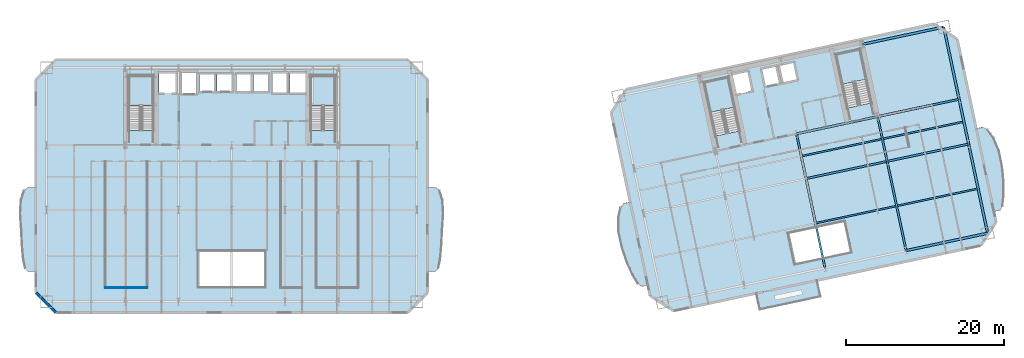
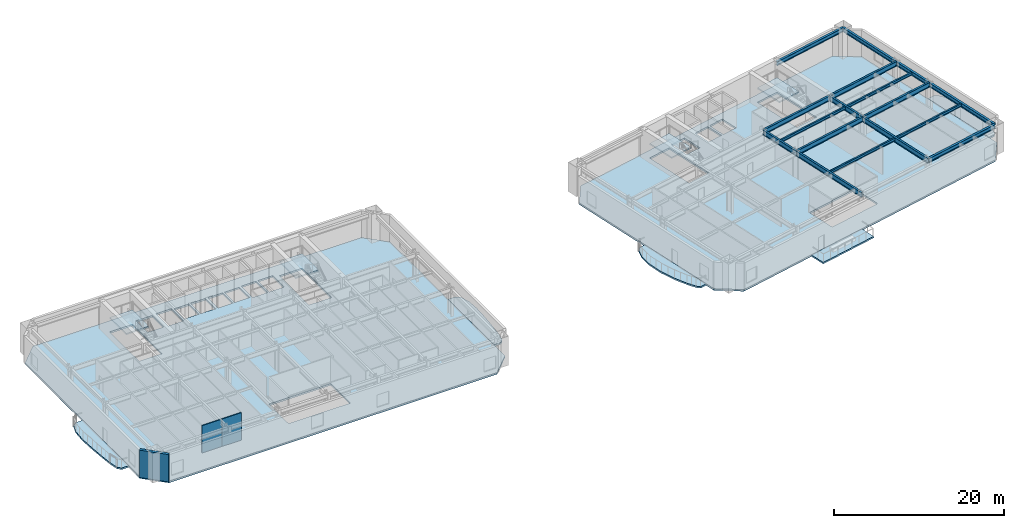
# One storey, part 4 of 15: 17 beams, 11 slabs, 3 walls, 4 elements without a shape of their own.
"""IFC4 building model written with IfcOpenShell, lengths in metres."""

from ifc_helpers import new_model, si_unit, direction, frame, frame_2d, origin, origin_2d, place, context, subcontext, project, spatial, polyline, rectangle, i_section, outline, extrude, material, layer, layer_set, material_profile, profile_set, type_object, element, aggregate, save


model = new_model("IFC4")

# Units and contexts
model_context = context("Model", 3, precision=1e-05, world=origin(), true_north=direction((0.0, 1.0)))
body_context = subcontext(model_context, "Body", "Model", "MODEL_VIEW")
ifc_project = project(units=[si_unit("LENGTHUNIT", "METRE"), si_unit("AREAUNIT", "SQUARE_METRE"), si_unit("VOLUMEUNIT", "CUBIC_METRE"), si_unit("PLANEANGLEUNIT", "RADIAN"), si_unit("MASSUNIT", "GRAM", prefix="KILO")], contexts=[model_context])

# Site, building, storey
site_placement = place(None, origin())
site = spatial("IfcSite", under=ifc_project, at=site_placement, CompositionType="ELEMENT")
building_placement = place(site_placement, origin())
building = spatial("IfcBuilding", under=site, at=building_placement, Name="Haevon Station Towers", CompositionType="ELEMENT")
storey_placement = place(building_placement, frame((0.0, 0.0, 73.5)))
storey = spatial("IfcBuildingStorey", under=building, at=storey_placement, Name="L19", CompositionType="ELEMENT", Elevation=73.5)

# Beams
ifc_material_1 = material(Name="Steel S355", Category="steel")
ifc_material_profile_1 = material_profile(ifc_material_1, i_section(OverallWidth=0.25, OverallDepth=0.699951171875, WebThickness=0.012939453125, FlangeThickness=0.02392578125, at=origin_2d()), Name="H-700x250x13x24")
ifc_profile_set_1 = profile_set([ifc_material_profile_1], Name="Steel S355")
beam_type_1 = type_object("IfcBeamType", Name="BM-G700", PredefinedType="BEAM", material=ifc_profile_set_1)
beam_1_placement = place(storey_placement, frame((110.228759765625, 33.9521484375, 3.60009765625), z_axis=(0.978146794194, 0.207915485254, 0.0), x_axis=(-0.207915485254, 0.978146794194, 0.0)))
element("IfcBeam", 1, at=beam_1_placement, inside=storey, type_object=beam_type_1, Name="BM-T2U-L19-02-03", PredefinedType="BEAM", context=body_context, shape_type="SweptSolid", body=[
    extrude(i_section(OverallWidth=0.25, OverallDepth=0.699951171875, WebThickness=0.012939453125, FlangeThickness=0.02392578125, at=origin_2d()), origin(), (0.0, 0.0, 1.0), 10.5),
])
beam_2_placement = place(storey_placement, frame((120.499267578125, 36.13525390625, 3.60009765625), z_axis=(0.978145498476, 0.207921580918, 0.0), x_axis=(-0.207921580918, 0.978145498476, 0.0)))
element("IfcBeam", 2, at=beam_2_placement, inside=storey, type_object=beam_type_1, Name="BM-T2U-L19-02-04", PredefinedType="BEAM", context=body_context, shape_type="SweptSolid", body=[
    extrude(i_section(OverallWidth=0.25, OverallDepth=0.699951171875, WebThickness=0.012939453125, FlangeThickness=0.02392578125, at=origin_2d()), origin(), (0.0, 0.0, 1.0), 10.550048828125),
])
beam_3_placement = place(storey_placement, frame((109.02294921875, 39.62548828125, 3.60009765625), z_axis=(0.978146794194, 0.207915485254, 0.0), x_axis=(-0.207915485254, 0.978146794194, 0.0)))
element("IfcBeam", 3, at=beam_3_placement, inside=storey, type_object=beam_type_1, Name="BM-T2U-L19-03-03", PredefinedType="BEAM", context=body_context, shape_type="SweptSolid", body=[
    extrude(i_section(OverallWidth=0.25, OverallDepth=0.699951171875, WebThickness=0.012939453125, FlangeThickness=0.02392578125, at=origin_2d()), origin(), (0.0, 0.0, 1.0), 10.5),
])
beam_4_placement = place(storey_placement, frame((119.29345703125, 41.80859375, 3.60009765625), z_axis=(0.978149204359, 0.207904146209, 0.0), x_axis=(-0.207904146209, 0.978149204359, 0.0)))
element("IfcBeam", 4, at=beam_4_placement, inside=storey, type_object=beam_type_1, Name="BM-T2U-L19-03-04", PredefinedType="BEAM", context=body_context, shape_type="SweptSolid", body=[
    extrude(i_section(OverallWidth=0.25, OverallDepth=0.699951171875, WebThickness=0.012939453125, FlangeThickness=0.02392578125, at=origin_2d()), origin(), (0.0, 0.0, 1.0), 10.5498046875),
])
beam_5_placement = place(storey_placement, frame((112.630126953125, 22.654541015625, 3.60009765625), z_axis=(-0.207910580697, 0.978147836697, 0.0), x_axis=(-0.978147836697, -0.207910580697, 0.0)))
element("IfcBeam", 5, at=beam_5_placement, inside=storey, type_object=beam_type_1, Name="BM-T2V-L19-03-01", PredefinedType="BEAM", context=body_context, shape_type="SweptSolid", body=[
    extrude(i_section(OverallWidth=0.25, OverallDepth=0.699951171875, WebThickness=0.012939453125, FlangeThickness=0.02392578125, at=origin_2d()), origin(), (0.0, 0.0, 1.0), 11.550048828125),
])
beam_6_placement = place(storey_placement, frame((110.228759765625, 33.9521484375, 3.60009765625), z_axis=(-0.207896009217, 0.97815093383, 0.0), x_axis=(-0.97815093383, -0.207896009217, 0.0)))
element("IfcBeam", 6, at=beam_6_placement, inside=storey, type_object=beam_type_1, Name="BM-T2V-L19-03-02", PredefinedType="BEAM", context=body_context, shape_type="SweptSolid", body=[
    extrude(i_section(OverallWidth=0.25, OverallDepth=0.699951171875, WebThickness=0.012939453125, FlangeThickness=0.02392578125, at=origin_2d()), origin(), (0.0, 0.0, 1.0), 5.800048828125),
])
beam_7_placement = place(storey_placement, frame((122.900634765625, 24.837646484375, 3.60009765625), z_axis=(-0.207910580697, 0.978147836697, 0.0), x_axis=(-0.978147836697, -0.207910580697, 0.0)))
element("IfcBeam", 7, at=beam_7_placement, inside=storey, type_object=beam_type_1, Name="BM-T2V-L19-04-01", PredefinedType="BEAM", context=body_context, shape_type="SweptSolid", body=[
    extrude(i_section(OverallWidth=0.25, OverallDepth=0.699951171875, WebThickness=0.012939453125, FlangeThickness=0.02392578125, at=origin_2d()), origin(), (0.0, 0.0, 1.0), 11.550048828125),
])
beam_8_placement = place(storey_placement, frame((120.499267578125, 36.13525390625, 3.60009765625), z_axis=(-0.207896009217, 0.97815093383, 0.0), x_axis=(-0.97815093383, -0.207896009217, 0.0)))
element("IfcBeam", 8, at=beam_8_placement, inside=storey, type_object=beam_type_1, Name="BM-T2V-L19-04-02", PredefinedType="BEAM", context=body_context, shape_type="SweptSolid", body=[
    extrude(i_section(OverallWidth=0.25, OverallDepth=0.699951171875, WebThickness=0.012939453125, FlangeThickness=0.02392578125, at=origin_2d()), origin(), (0.0, 0.0, 1.0), 5.800048828125),
])
ifc_material_profile_2 = material_profile(ifc_material_1, i_section(OverallWidth=0.199951171875, OverallDepth=0.39990234375, WebThickness=0.008056640625, FlangeThickness=0.012939453125, at=origin_2d()), Name="H-400x200x8x13")
ifc_profile_set_2 = profile_set([ifc_material_profile_2], Name="Steel S355")
beam_type_2 = type_object("IfcBeamType", Name="BM-J400", PredefinedType="JOIST", material=ifc_profile_set_2)
beam_9_placement = place(storey_placement, frame((111.537109375, 28.326416015625, 3.75), z_axis=(0.978150339653, 0.207898804801, 0.0), x_axis=(-0.207898804801, 0.978150339653, 0.0)))
element("IfcBeam", 9, at=beam_9_placement, inside=storey, type_object=beam_type_2, Name="BM-T2J-L19-01-03", PredefinedType="JOIST", context=body_context, shape_type="SweptSolid", body=[
    extrude(i_section(OverallWidth=0.199951171875, OverallDepth=0.39990234375, WebThickness=0.008056640625, FlangeThickness=0.012939453125, at=origin_2d()), origin(), (0.0, 0.0, 1.0), 10.280029296875),
])
beam_10_placement = place(storey_placement, frame((121.8076171875, 30.50927734375, 3.75), z_axis=(0.978147977643, 0.207909917591, 0.0), x_axis=(-0.207909917591, 0.978147977643, 0.0)))
element("IfcBeam", 10, at=beam_10_placement, inside=storey, type_object=beam_type_2, Name="BM-T2J-L19-01-04", PredefinedType="JOIST", context=body_context, shape_type="SweptSolid", body=[
    extrude(i_section(OverallWidth=0.199951171875, OverallDepth=0.39990234375, WebThickness=0.008056640625, FlangeThickness=0.012939453125, at=origin_2d()), origin(), (0.0, 0.0, 1.0), 10.330078125),
])
beam_11_placement = place(storey_placement, frame((109.7333984375, 36.811767578125, 3.75), z_axis=(0.978150339653, 0.207898804801, 0.0), x_axis=(-0.207898804801, 0.978150339653, 0.0)))
element("IfcBeam", 11, at=beam_11_placement, inside=storey, type_object=beam_type_2, Name="BM-T2J-L19-02-03", PredefinedType="JOIST", context=body_context, shape_type="SweptSolid", body=[
    extrude(i_section(OverallWidth=0.199951171875, OverallDepth=0.39990234375, WebThickness=0.008056640625, FlangeThickness=0.012939453125, at=origin_2d()), origin(), (0.0, 0.0, 1.0), 10.280029296875),
])
beam_12_placement = place(storey_placement, frame((120.00390625, 38.994873046875, 3.75), z_axis=(0.978147977643, 0.207909917591, 0.0), x_axis=(-0.207909917591, 0.978147977643, 0.0)))
element("IfcBeam", 12, at=beam_12_placement, inside=storey, type_object=beam_type_2, Name="BM-T2J-L19-02-04", PredefinedType="JOIST", context=body_context, shape_type="SweptSolid", body=[
    extrude(i_section(OverallWidth=0.199951171875, OverallDepth=0.39990234375, WebThickness=0.008056640625, FlangeThickness=0.012939453125, at=origin_2d()), origin(), (0.0, 0.0, 1.0), 10.330078125),
])
ifc_material_profile_3 = material_profile(ifc_material_1, i_section(OverallWidth=0.300048828125, OverallDepth=0.587890625, WebThickness=0.011962890625, FlangeThickness=0.02001953125, at=origin_2d()), Name="H-588x300x12x20")
ifc_profile_set_3 = profile_set([ifc_material_profile_3], Name="Steel S355")
beam_type_3 = type_object("IfcBeamType", Name="BM-SP588", PredefinedType="SPANDREL", material=ifc_profile_set_3)
for number, where, z_axis, x_axis, name in (
    (13, (122.900634765625, 24.837646484375, 3.656005859375), (0.978145498476, 0.207921580918, 0.0), (-0.207921580918, 0.978145498476, 0.0), "BM-T2U-L19-01-04"),
    (14, (117.349365234375, 50.954345703125, 3.656005859375), (0.978150204601, 0.207899440208, 0.0), (-0.207899440208, 0.978150204601, 0.0), "BM-T2U-L19-04-04"),
):
    element("IfcBeam", number, at=place(storey_placement, frame(where, z_axis=z_axis, x_axis=x_axis)), inside=storey, type_object=beam_type_3, Name=name, PredefinedType="SPANDREL", context=body_context, shape_type="SweptSolid", body=[
        extrude(i_section(OverallWidth=0.300048828125, OverallDepth=0.587890625, WebThickness=0.011962890625, FlangeThickness=0.02001953125, at=origin_2d()), origin(), (0.0, 0.0, 1.0), 10.550048828125),
    ])
beam_13_placement = place(storey_placement, frame((133.22021484375, 27.03125, 3.656005859375), z_axis=(-0.207910580697, 0.978147836697, 0.0), x_axis=(-0.978147836697, -0.207910580697, 0.0)))
element("IfcBeam", 15, at=beam_13_placement, inside=storey, type_object=beam_type_3, Name="BM-T2V-L19-05-01", PredefinedType="SPANDREL", context=body_context, shape_type="SweptSolid", body=[
    extrude(i_section(OverallWidth=0.300048828125, OverallDepth=0.587890625, WebThickness=0.011962890625, FlangeThickness=0.02001953125, at=origin_2d()), origin(), (0.0, 0.0, 1.0), 11.550048828125),
])
beam_14_placement = place(storey_placement, frame((130.81884765625, 38.328857421875, 3.656005859375), z_axis=(-0.207944843707, 0.978140553282, 0.0), x_axis=(-0.978140553282, -0.207944843707, 0.0)))
element("IfcBeam", 16, at=beam_14_placement, inside=storey, type_object=beam_type_3, Name="BM-T2V-L19-05-02", PredefinedType="SPANDREL", context=body_context, shape_type="SweptSolid", body=[
    extrude(i_section(OverallWidth=0.300048828125, OverallDepth=0.587890625, WebThickness=0.011962890625, FlangeThickness=0.02001953125, at=origin_2d()), origin(), (0.0, 0.0, 1.0), 5.7998046875),
])
beam_15_placement = place(storey_placement, frame((129.61279296875, 44.001953125, 3.656005859375), z_axis=(-0.207897167074, 0.978150687738, 0.0), x_axis=(-0.978150687738, -0.207897167074, 0.0)))
element("IfcBeam", 17, at=beam_15_placement, inside=storey, type_object=beam_type_3, Name="BM-T2V-L19-05-03", PredefinedType="SPANDREL", context=body_context, shape_type="SweptSolid", body=[
    extrude(i_section(OverallWidth=0.300048828125, OverallDepth=0.587890625, WebThickness=0.011962890625, FlangeThickness=0.02001953125, at=origin_2d()), origin(), (0.0, 0.0, 1.0), 9.35009765625),
])

# Slabs
ifc_material_2 = material(Name="Concrete C40/50", Category="concrete")
ifc_layer_1 = layer(ifc_material_2, 0.219970703125)
ifc_layer_set_1 = layer_set([ifc_layer_1], Name="Concrete C40/50")
slab_type_1 = type_object("IfcSlabType", Name="SL-BALC220", PredefinedType="FLOOR", material=ifc_layer_set_1)
slab_1_placement = place(storey_placement, frame((0.0, 0.0, -0.219970703125)))
element("IfcSlab", 18, at=slab_1_placement, inside=storey, type_object=slab_type_1, Name="Tower 1 L19 West SCALLOPED BALCONY", PredefinedType="FLOOR", context=body_context, shape_type="SweptSolid", body=[
    extrude(outline(polyline([(12.695068359375, 32.89990234375), (11.737548828125, 32.89990234375), (11.18408203125, 32.489013671875), (10.802734375, 31.318359375), (10.687744140625, 29.56640625), (10.7744140625, 27.5), (10.93017578125, 25.43359375), (11.1005859375, 23.681640625), (11.346923828125, 22.510986328125), (11.737548828125, 22.10009765625), (12.695068359375, 22.10009765625), (12.695068359375, 32.89990234375)])), origin(), (0.0, 0.0, 1.0), 0.219970703125),
])
slab_2_placement = place(storey_placement, frame((0.0, 0.0, -0.219970703125)))
element("IfcSlab", 19, at=slab_2_placement, inside=storey, type_object=slab_type_1, Name="Tower 1 L19 East SCALLOPED BALCONY", PredefinedType="FLOOR", context=body_context, shape_type="SweptSolid", body=[
    extrude(outline(polyline([(62.304931640625, 22.10009765625), (63.262451171875, 22.10009765625), (63.653076171875, 22.510986328125), (63.8994140625, 23.681640625), (64.06982421875, 25.43359375), (64.2255859375, 27.5), (64.312255859375, 29.56640625), (64.197265625, 31.318359375), (63.81591796875, 32.489013671875), (63.262451171875, 32.89990234375), (62.304931640625, 32.89990234375), (62.304931640625, 22.10009765625)])), origin(), (0.0, 0.0, 1.0), 0.219970703125),
])
slab_3_placement = place(storey_placement, frame((0.0, 0.0, -0.219970703125)))
element("IfcSlab", 20, at=slab_3_placement, inside=storey, type_object=slab_type_1, Name="Tower 2 L19 West SCALLOPED BALCONY", PredefinedType="FLOOR", context=body_context, shape_type="SweptSolid", body=[
    extrude(outline(polyline([(87.949462890625, 31.005615234375), (87.1181640625, 30.8291015625), (86.71630859375, 30.323486328125), (86.427490234375, 29.065185546875), (86.44189453125, 27.27734375), (86.8427734375, 25.249755859375), (87.53857421875, 23.28515625), (88.306640625, 21.6572265625), (88.9501953125, 20.597412109375), (89.363525390625, 20.264892578125), (90.195068359375, 20.441650390625), (87.949462890625, 31.005615234375)])), origin(), (0.0, 0.0, 1.0), 0.219970703125),
])
slab_4_placement = place(storey_placement, frame((0.0, 0.0, -0.219970703125)))
element("IfcSlab", 21, at=slab_4_placement, inside=storey, type_object=slab_type_1, Name="Tower 2 L19 East SCALLOPED BALCONY", PredefinedType="FLOOR", context=body_context, shape_type="SweptSolid", body=[
    extrude(outline(polyline([(134.02587890625, 29.75830078125), (134.857177734375, 29.93505859375), (135.099609375, 30.40673828125), (135.25634765625, 31.63671875), (135.296142578125, 33.436279296875), (135.132568359375, 35.51416015625), (134.674072265625, 37.529296875), (133.9599609375, 39.168701171875), (133.1845703125, 40.200439453125), (132.61181640625, 40.4990234375), (131.7802734375, 40.322265625), (134.02587890625, 29.75830078125)])), origin(), (0.0, 0.0, 1.0), 0.219970703125),
])
slab_5_placement = place(storey_placement, frame((0.0, 0.0, -0.219970703125)))
element("IfcSlab", 22, at=slab_5_placement, inside=storey, type_object=slab_type_1, Name="Tower 2 L19 Planted Balcony Band", PredefinedType="FLOOR", context=body_context, shape_type="SweptSolid", body=[
    extrude(outline(polyline([(104.299560546875, 17.35693359375), (112.124755859375, 19.02001953125), (111.689208984375, 21.0693359375), (103.864013671875, 19.406005859375), (104.299560546875, 17.35693359375)])), origin(), (0.0, 0.0, 1.0), 0.219970703125),
])

# Stair, slab
stair_type = type_object("IfcStairType", Name="STR-DL1450", PredefinedType="USERDEFINED", material=ifc_material_2)
stair_1_placement = place(storey_placement, origin())
stair_1 = element("IfcStair", 23, at=stair_1_placement, inside=storey, type_object=stair_type, Name="L19 Escape Stair ST1", ObjectType="TWO_RETURN_STAIR", PredefinedType="USERDEFINED")
ifc_layer_2 = layer(ifc_material_2, 0.199951171875)
ifc_layer_set_2 = layer_set([ifc_layer_2], Name="Concrete C40/50")
slab_type_2 = type_object("IfcSlabType", Name="SL-LND200", PredefinedType="LANDING", material=ifc_layer_set_2)
slab_6_placement = place(storey_placement, frame((0.0, 0.0, 1.89990234375)))
slab_6 = element("IfcSlab", 24, at=slab_6_placement, type_object=slab_type_2, Name="L19 ST1 Half Landing 1", PredefinedType="LANDING", context=body_context, shape_type="SweptSolid", body=[
    extrude(outline(polyline([(27.580078125, 43.1240234375), (27.580078125, 47.0), (24.47998046875, 47.0), (24.47998046875, 43.1240234375), (27.580078125, 43.1240234375)])), origin(), (0.0, 0.0, 1.0), 0.2001953125),
])
aggregate(stair_1, [slab_6])

stair_2_placement = place(storey_placement, origin())
stair_2 = element("IfcStair", 25, at=stair_2_placement, inside=storey, type_object=stair_type, Name="L19 Escape Stair ST2", ObjectType="TWO_RETURN_STAIR", PredefinedType="USERDEFINED")
slab_7_placement = place(storey_placement, frame((0.0, 0.0, 1.89990234375)))
slab_7 = element("IfcSlab", 26, at=slab_7_placement, type_object=slab_type_2, Name="L19 ST2 Half Landing 1", PredefinedType="LANDING", context=body_context, shape_type="SweptSolid", body=[
    extrude(outline(polyline([(50.6201171875, 43.1240234375), (50.6201171875, 47.0), (47.52001953125, 47.0), (47.52001953125, 43.1240234375), (50.6201171875, 43.1240234375)])), origin(), (0.0, 0.0, 1.0), 0.2001953125),
])
aggregate(stair_2, [slab_7])

stair_3_placement = place(storey_placement, origin())
stair_3 = element("IfcStair", 27, at=stair_3_placement, inside=storey, type_object=stair_type, Name="L19 Escape Stair ST3", ObjectType="TWO_RETURN_STAIR", PredefinedType="USERDEFINED")
slab_8_placement = place(storey_placement, frame((0.0, 0.0, 1.89990234375)))
slab_8 = element("IfcSlab", 28, at=slab_8_placement, type_object=slab_type_2, Name="L19 ST3 Half Landing 1", PredefinedType="LANDING", context=body_context, shape_type="SweptSolid", body=[
    extrude(outline(polyline([(101.171630859375, 42.99072265625), (100.36572265625, 46.781982421875), (97.33349609375, 46.137451171875), (98.139404296875, 42.34619140625), (101.171630859375, 42.99072265625)])), origin(), (0.0, 0.0, 1.0), 0.2001953125),
])
aggregate(stair_3, [slab_8])

stair_4_placement = place(storey_placement, origin())
stair_4 = element("IfcStair", 29, at=stair_4_placement, inside=storey, type_object=stair_type, Name="L19 Escape Stair ST4", ObjectType="TWO_RETURN_STAIR", PredefinedType="USERDEFINED")
slab_9_placement = place(storey_placement, frame((0.0, 0.0, 1.89990234375)))
slab_9 = element("IfcSlab", 30, at=slab_9_placement, type_object=slab_type_2, Name="L19 ST4 Half Landing 1", PredefinedType="LANDING", context=body_context, shape_type="SweptSolid", body=[
    extrude(outline(polyline([(117.85888671875, 46.53759765625), (117.052978515625, 50.328857421875), (114.020751953125, 49.684326171875), (114.82666015625, 45.89306640625), (117.85888671875, 46.53759765625)])), origin(), (0.0, 0.0, 1.0), 0.2001953125),
])
aggregate(stair_4, [slab_9])

# Slabs
ifc_layer_3 = layer(ifc_material_2, 0.25)
ifc_layer_set_3 = layer_set([ifc_layer_3], Name="Concrete C40/50")
slab_type_3 = type_object("IfcSlabType", Name="SL-TW250", PredefinedType="FLOOR", material=ifc_layer_set_3)
slab_10_placement = place(storey_placement, frame((0.0, 0.0, -0.25)))
element("IfcSlab", 31, at=slab_10_placement, inside=storey, type_object=slab_type_3, Name="SL-T1-L19", PredefinedType="FLOOR", context=body_context, shape_type="SweptSolid", body=[
    extrude(outline(polyline([(15.199951171875, 17.0), (59.800048828125, 17.0), (62.300048828125, 19.5), (62.300048828125, 46.5), (59.800048828125, 49.0), (15.199951171875, 49.0), (12.699951171875, 46.5), (12.699951171875, 19.5), (15.199951171875, 17.0)]), holes=[polyline([(27.580078125, 40.055908203125), (27.580078125, 47.0), (24.47998046875, 47.0), (24.47998046875, 40.055908203125), (27.580078125, 40.055908203125)]), polyline([(50.6201171875, 40.055908203125), (50.6201171875, 47.0), (47.52001953125, 47.0), (47.52001953125, 40.055908203125), (50.6201171875, 40.055908203125)]), polyline([(28.300048828125, 44.699951171875), (30.5, 44.699951171875), (30.5, 47.39990234375), (28.300048828125, 47.39990234375), (28.300048828125, 44.699951171875)]), polyline([(31.050048828125, 44.60009765625), (33.14990234375, 44.60009765625), (33.14990234375, 47.5), (31.050048828125, 47.5), (31.050048828125, 44.60009765625)]), polyline([(33.39990234375, 44.89990234375), (35.39990234375, 44.89990234375), (35.39990234375, 47.300048828125), (33.39990234375, 47.300048828125), (33.39990234375, 44.89990234375)]), polyline([(35.64990234375, 44.89990234375), (37.64990234375, 44.89990234375), (37.64990234375, 47.300048828125), (35.64990234375, 47.300048828125), (35.64990234375, 44.89990234375)]), polyline([(38.0, 44.89990234375), (40.0, 44.89990234375), (40.0, 47.300048828125), (38.0, 47.300048828125), (38.0, 44.89990234375)]), polyline([(40.25, 44.89990234375), (42.25, 44.89990234375), (42.25, 47.300048828125), (40.25, 47.300048828125), (40.25, 44.89990234375)]), polyline([(42.60009765625, 44.699951171875), (44.60009765625, 44.699951171875), (44.60009765625, 47.39990234375), (42.60009765625, 47.39990234375), (42.60009765625, 44.699951171875)]), polyline([(44.85009765625, 44.699951171875), (46.85009765625, 44.699951171875), (46.85009765625, 47.39990234375), (44.85009765625, 47.39990234375), (44.85009765625, 44.699951171875)]), polyline([(33.300048828125, 20.199951171875), (41.699951171875, 20.199951171875), (41.699951171875, 24.800048828125), (33.300048828125, 24.800048828125), (33.300048828125, 20.199951171875)])]), origin(), (0.0, 0.0, 1.0), 0.25),
])
slab_11_placement = place(storey_placement, frame((0.0, 0.0, -0.25)))
element("IfcSlab", 32, at=slab_11_placement, inside=storey, type_object=slab_type_3, Name="SL-T2-L19", PredefinedType="FLOOR", context=body_context, shape_type="SweptSolid", body=[
    extrude(outline(polyline([(93.44580078125, 17.19677734375), (132.3759765625, 25.4716796875), (134.301513671875, 28.436767578125), (129.3740234375, 51.618896484375), (126.408935546875, 53.54443359375), (87.478759765625, 45.26953125), (85.552978515625, 42.304443359375), (90.48046875, 19.122314453125), (93.44580078125, 17.19677734375)]), holes=[polyline([(101.8095703125, 39.98974609375), (100.36572265625, 46.781982421875), (97.33349609375, 46.137451171875), (98.77734375, 39.34521484375), (101.8095703125, 39.98974609375)]), polyline([(118.496826171875, 43.53662109375), (117.052978515625, 50.328857421875), (114.020751953125, 49.684326171875), (115.464599609375, 42.89208984375), (118.496826171875, 43.53662109375)]), polyline([(101.43212890625, 44.554931640625), (103.486328125, 44.99169921875), (102.9248046875, 47.632568359375), (100.870849609375, 47.196044921875), (101.43212890625, 44.554931640625)]), polyline([(105.009765625, 45.519775390625), (106.966064453125, 45.935791015625), (106.467041015625, 48.283203125), (104.5107421875, 47.867431640625), (105.009765625, 45.519775390625)]), polyline([(107.259521484375, 45.998046875), (109.2158203125, 46.413818359375), (108.716796875, 48.761474609375), (106.760498046875, 48.345703125), (107.259521484375, 45.998046875)]), polyline([(108.848876953125, 23.12890625), (115.8916015625, 24.625732421875), (115.06005859375, 28.538330078125), (108.017333984375, 27.04150390625), (108.848876953125, 23.12890625)])]), origin(), (0.0, 0.0, 1.0), 0.25),
])

# Walls
ifc_material_3 = material(Name="Precast concrete C45/55", Category="concrete")
ifc_layer_4 = layer(ifc_material_3, 0.340087890625)
ifc_layer_set_4 = layer_set([ifc_layer_4], Name="Precast concrete C45/55")
wall_type_1 = type_object("IfcWallType", Name="WL-EXT-PIER340", PredefinedType="SOLIDWALL", material=ifc_layer_set_4)
wall_1_placement = place(storey_placement, frame((15.199951171875, 17.0, 0.0), z_axis=(0.0, 0.0, 1.0), x_axis=(-0.707106781187, 0.707106781187, 0.0)))
element("IfcWall", 33, at=wall_1_placement, inside=storey, type_object=wall_type_1, Name="WL-T1-L19-SWC", PredefinedType="SOLIDWALL", context=body_context, shape_type="SweptSolid", body=[
    extrude(rectangle(XDim=3.53564453125, YDim=0.340087890625, at=frame_2d((1.767822265625, 0.0))), origin(), (0.0, 0.0, 1.0), 3.929931640625),
])
ifc_material_4 = material(Name="Gypsum board on steel stud", Category="steel")
ifc_layer_5 = layer(ifc_material_4, 0.125)
ifc_layer_set_5 = layer_set([ifc_layer_5], Name="Gypsum board on steel stud")
wall_type_2 = type_object("IfcWallType", Name="WL-PRT125", PredefinedType="PARTITIONING", material=ifc_layer_set_5)
wall_2_placement = place(storey_placement, frame((21.47998046875, 20.10009765625, 0.0), z_axis=(0.0, 0.0, 1.0), x_axis=(1.0, 0.0, 0.0)))
element("IfcWall", 34, at=wall_2_placement, inside=storey, type_object=wall_type_2, Name="WL-T1PT-L19-11", PredefinedType="PARTITIONING", context=body_context, shape_type="SweptSolid", body=[
    extrude(rectangle(XDim=2.669921875, YDim=0.125, at=frame_2d((1.3349609375, 0.0))), origin(), (0.0, 0.0, 1.0), 3.929931640625),
])
wall_3_placement = place(storey_placement, frame((24.14990234375, 20.10009765625, 0.0), z_axis=(0.0, 0.0, 1.0), x_axis=(1.0, 0.0, 0.0)))
element("IfcWall", 35, at=wall_3_placement, inside=storey, type_object=wall_type_2, Name="WL-T1PT-L19-14", PredefinedType="PARTITIONING", context=body_context, shape_type="SweptSolid", body=[
    extrude(rectangle(XDim=2.670166015625, YDim=0.125, at=frame_2d((1.3349609375, 0.0))), origin(), (0.0, 0.0, 1.0), 3.929931640625),
])

save(model, "model.ifc")
